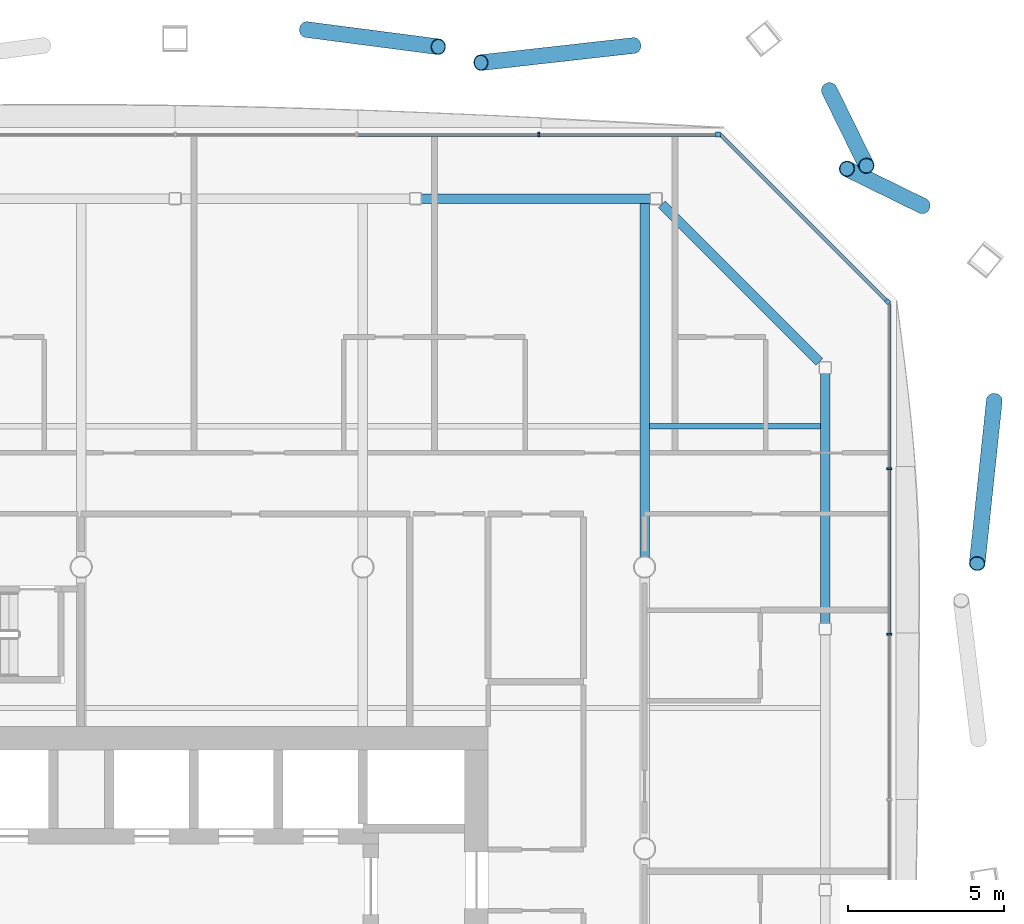
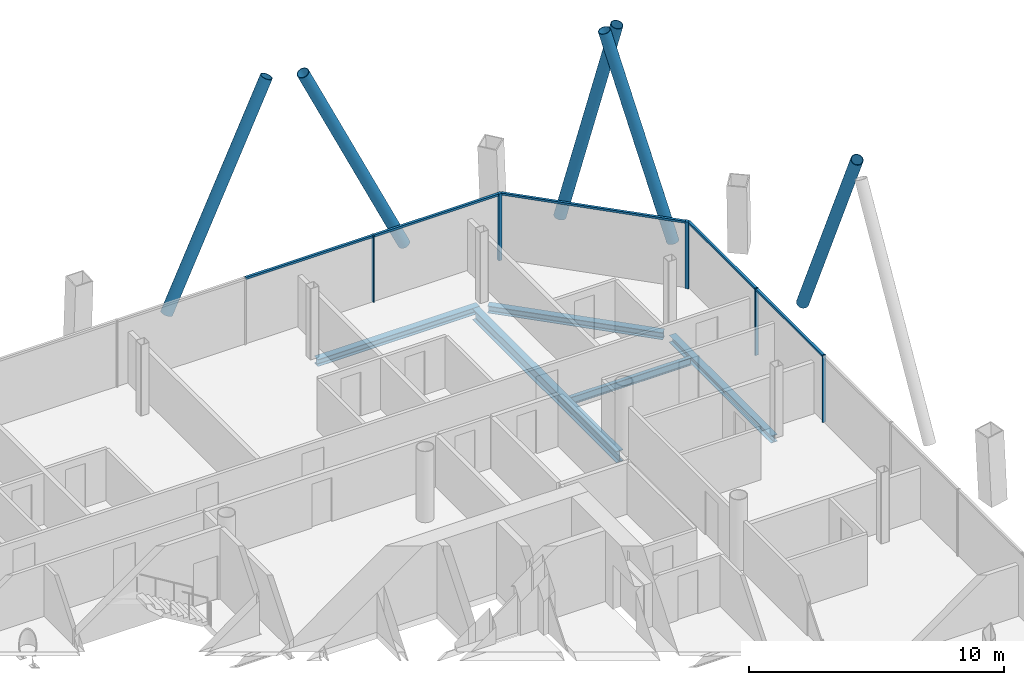
# One storey, part 12 of 23: 15 members, 5 beams, 3 elements without a shape of their own.
"""IFC4 building model written with IfcOpenShell, lengths in metres."""

from ifc_helpers import new_model, si_unit, direction, frame, origin, origin_2d, place, context, subcontext, project, spatial, rectangle, hollow_circle, i_section, extrude, material, material_profile, profile_set, type_object, element, aggregate, save


model = new_model("IFC4")

# Units and contexts
model_context = context("Model", 3, precision=1e-05, world=origin(), true_north=direction((0.0, 1.0)))
body_context = subcontext(model_context, "Body", "Model", "MODEL_VIEW")
ifc_project = project(units=[si_unit("LENGTHUNIT", "METRE"), si_unit("AREAUNIT", "SQUARE_METRE"), si_unit("VOLUMEUNIT", "CUBIC_METRE"), si_unit("PLANEANGLEUNIT", "RADIAN"), si_unit("MASSUNIT", "GRAM", prefix="KILO")], contexts=[model_context])

# Site, building, storey
site_placement = place(None, origin())
site = spatial("IfcSite", under=ifc_project, at=site_placement, CompositionType="ELEMENT")
building_placement = place(site_placement, origin())
building = spatial("IfcBuilding", under=site, at=building_placement, Name="Tskaro Facet Tower", CompositionType="ELEMENT")
storey_placement = place(building_placement, frame((0.0, 0.0, 131.699951171875)))
storey = spatial("IfcBuildingStorey", under=building, at=storey_placement, Name="L31", CompositionType="ELEMENT", Elevation=131.699951171875)

# Members
ifc_material_1 = material(Name="Steel S355J2H", Category="steel")
ifc_material_profile_1 = material_profile(ifc_material_1, hollow_circle(Radius=0.25390625, WallThickness=0.02490234375, at=origin_2d()), Name="CHS 508x25")
ifc_profile_set_1 = profile_set([ifc_material_profile_1], Name="Steel S355J2H")
member_type_1 = type_object("IfcMemberType", Name="CHS 508x25 brace", PredefinedType="BRACE", material=ifc_profile_set_1)
member_1_placement = place(storey_placement, frame((29.17333984375, 14.324462890625, 0.0), z_axis=(-0.047771572711, -0.454596329618, 0.889415568752), x_axis=(0.994523811682, -0.104510229157, 0.0)))
element("IfcMember", 1, at=member_1_placement, inside=storey, type_object=member_type_1, Name="CHS 508x25 XB05B/3", PredefinedType="BRACE", context=body_context, shape_type="SweptSolid", body=[
    extrude(hollow_circle(Radius=0.25390625, WallThickness=0.02490234375, at=origin_2d()), origin(), (0.0, 0.0, 1.0), 11.46826171875),
])
for number, where, z_axis, x_axis, name in (
    (2, (26.87548828125, 20.54296875, 0.0), (-0.228679722288, 0.112279891986, 0.967005072619), (-0.440733089451, -0.897638203211, 0.0), "CHS 508x25 XB06A/3"),
    (3, (23.902099609375, 24.234619140625, 0.0), (0.112302745825, -0.228679127936, 0.967002559317), (0.897602258082, 0.440806291115, 0.0), "CHS 508x25 XB06B/3"),
):
    element("IfcMember", number, at=place(storey_placement, frame(where, z_axis=z_axis, x_axis=x_axis)), inside=storey, type_object=member_type_1, Name=name, PredefinedType="BRACE", context=body_context, shape_type="SweptSolid", body=[
        extrude(hollow_circle(Radius=0.25390625, WallThickness=0.02490234375, at=origin_2d()), origin(), (0.0, 0.0, 1.0), 10.548095703125),
    ])
member_2_placement = place(storey_placement, frame((17.653564453125, 25.665283203125, 0.0), z_axis=(-0.431401762637, -0.048386342548, 0.900861410567), x_axis=(0.111461838164, -0.993768714859, 0.0)))
element("IfcMember", 4, at=member_2_placement, inside=storey, type_object=member_type_1, Name="CHS 508x25 XB07A/3", PredefinedType="BRACE", context=body_context, shape_type="SweptSolid", body=[
    extrude(hollow_circle(Radius=0.25390625, WallThickness=0.02490234375, at=origin_2d()), origin(), (0.0, 0.0, 1.0), 11.322509765625),
])
member_3_placement = place(storey_placement, frame((7.204833984375, 26.17333984375, 0.0), z_axis=(0.380638034697, -0.049596548012, 0.92339312807), x_axis=(0.12920625994, 0.991617740055, 0.0)))
element("IfcMember", 5, at=member_3_placement, inside=storey, type_object=member_type_1, Name="CHS 508x25 XB07B/3", PredefinedType="BRACE", context=body_context, shape_type="SweptSolid", body=[
    extrude(hollow_circle(Radius=0.25390625, WallThickness=0.02490234375, at=origin_2d()), origin(), (0.0, 0.0, 1.0), 11.046142578125),
])

# Curtain wall, member
ifc_material_2 = material(Name="Bronze anodised aluminium 6063-T6", Category="aluminium")
curtain_wall_type = type_object("IfcCurtainWallType", Name="Bronze hotel curtain wall (FW2)", PredefinedType="NOTDEFINED", material=ifc_material_2)
curtain_wall_1_placement = place(storey_placement, origin())
curtain_wall_1 = element("IfcCurtainWall", 6, at=curtain_wall_1_placement, inside=storey, type_object=curtain_wall_type, Name="FW2 north-east facet L31", PredefinedType="NOTDEFINED")
ifc_material_profile_2 = material_profile(ifc_material_2, rectangle(XDim=0.14990234375, YDim=0.14990234375, at=origin_2d()), Name="Corner post 150x150")
ifc_profile_set_2 = profile_set([ifc_material_profile_2], Name="Bronze anodised aluminium 6063-T6")
member_type_2 = type_object("IfcMemberType", Name="FW2 bronze corner post 150x150", PredefinedType="MULLION", material=ifc_profile_set_2)
member_4_placement = place(storey_placement, frame((25.766845703125, 17.47509765625, 0.0), z_axis=(0.0, 0.0, 1.0), x_axis=(-0.707106781187, 0.707106781187, 0.0)))
member_4 = element("IfcMember", 7, at=member_4_placement, type_object=member_type_2, Name="FW2 north-east corner post", PredefinedType="MULLION", context=body_context, shape_type="SweptSolid", body=[
    extrude(rectangle(XDim=0.14990234375, YDim=0.14990234375, at=origin_2d()), origin(), (0.0, 0.0, 1.0), 3.199951171875),
])

curtain_wall_2_placement = place(storey_placement, origin())
curtain_wall_2 = element("IfcCurtainWall", 8, at=curtain_wall_2_placement, inside=storey, type_object=curtain_wall_type, Name="FW2 north facet L31", PredefinedType="NOTDEFINED")
member_5_placement = place(storey_placement, frame((20.346923828125, 22.820068359375, 0.0), z_axis=(0.0, 0.0, 1.0), x_axis=(-1.0, 0.0, 0.0)))
member_5 = element("IfcMember", 9, at=member_5_placement, type_object=member_type_2, Name="FW2 north corner post", PredefinedType="MULLION", context=body_context, shape_type="SweptSolid", body=[
    extrude(rectangle(XDim=0.14990234375, YDim=0.14990234375, at=origin_2d()), origin(), (0.0, 0.0, 1.0), 3.199951171875),
])

# Curtain wall, members
curtain_wall_3_placement = place(storey_placement, origin())
curtain_wall_3 = element("IfcCurtainWall", 10, at=curtain_wall_3_placement, inside=storey, type_object=curtain_wall_type, Name="FW2 east facet L31", PredefinedType="NOTDEFINED")
ifc_material_profile_3 = material_profile(ifc_material_2, rectangle(XDim=0.06005859375, YDim=0.14990234375, at=origin_2d()), Name="Mullion 60x150")
ifc_profile_set_3 = profile_set([ifc_material_profile_3], Name="Bronze anodised aluminium 6063-T6")
member_type_3 = type_object("IfcMemberType", Name="FW2 bronze mullion 60x150", PredefinedType="MULLION", material=ifc_profile_set_3)
member_6_placement = place(storey_placement, frame((25.820068359375, 6.851806640625, 0.0), z_axis=(0.0, 0.0, 1.0), x_axis=(0.0, 1.0, 0.0)))
member_6 = element("IfcMember", 11, at=member_6_placement, type_object=member_type_3, Name="FW2 east mullion 5", PredefinedType="MULLION", context=body_context, shape_type="SweptSolid", body=[
    extrude(rectangle(XDim=0.06005859375, YDim=0.14990234375, at=origin_2d()), origin(), (0.0, 0.0, 1.0), 3.199951171875),
])
member_7_placement = place(storey_placement, frame((25.820068359375, 12.136962890625, 0.0), z_axis=(0.0, 0.0, 1.0), x_axis=(0.0, 1.0, 0.0)))
member_7 = element("IfcMember", 12, at=member_7_placement, type_object=member_type_3, Name="FW2 east mullion 6", PredefinedType="MULLION", context=body_context, shape_type="SweptSolid", body=[
    extrude(rectangle(XDim=0.06005859375, YDim=0.14990234375, at=origin_2d()), origin(), (0.0, 0.0, 1.0), 3.199951171875),
])

# Member
member_8_placement = place(storey_placement, frame((14.61474609375, 22.820068359375, 0.0), z_axis=(0.0, 0.0, 1.0), x_axis=(-1.0, 0.0, 0.0)))
member_8 = element("IfcMember", 13, at=member_8_placement, type_object=member_type_3, Name="FW2 north mullion 1", PredefinedType="MULLION", context=body_context, shape_type="SweptSolid", body=[
    extrude(rectangle(XDim=0.06005859375, YDim=0.14990234375, at=origin_2d()), origin(), (0.0, 0.0, 1.0), 3.199951171875),
])

ifc_material_profile_4 = material_profile(ifc_material_2, rectangle(XDim=0.110107421875, YDim=0.10009765625, at=origin_2d()), Name="Transom 110x100")
ifc_profile_set_4 = profile_set([ifc_material_profile_4], Name="Bronze anodised aluminium 6063-T6")
member_type_4 = type_object("IfcMemberType", Name="FW2 bronze transom 110x100", PredefinedType="USERDEFINED", material=ifc_profile_set_4)
member_9_placement = place(storey_placement, frame((25.820068359375, 6.8818359375, 3.150146484375), z_axis=(0.0, 1.0, 0.0), x_axis=(-1.0, 0.0, 0.0)))
member_9 = element("IfcMember", 14, at=member_9_placement, type_object=member_type_4, Name="FW2 east transom 6.1", ObjectType="TRANSOM", PredefinedType="USERDEFINED", context=body_context, shape_type="SweptSolid", body=[
    extrude(rectangle(XDim=0.110107421875, YDim=0.10009765625, at=origin_2d()), origin(), (0.0, 0.0, 1.0), 5.22509765625),
])

member_10_placement = place(storey_placement, frame((25.820068359375, 12.166748046875, 3.150146484375), z_axis=(0.0, 1.0, 0.0), x_axis=(-1.0, 0.0, 0.0)))
member_10 = element("IfcMember", 15, at=member_10_placement, type_object=member_type_4, Name="FW2 east transom 7.1", ObjectType="TRANSOM", PredefinedType="USERDEFINED", context=body_context, shape_type="SweptSolid", body=[
    extrude(rectangle(XDim=0.110107421875, YDim=0.10009765625, at=origin_2d()), origin(), (0.0, 0.0, 1.0), 5.25537109375),
])

aggregate(curtain_wall_3, [member_6, member_7, member_9, member_10])

member_11_placement = place(storey_placement, frame((25.7138671875, 17.528076171875, 3.150146484375), z_axis=(-0.7070904698, 0.707123092197, 0.0), x_axis=(-0.707123092197, -0.7070904698, 0.0)))
member_11 = element("IfcMember", 16, at=member_11_placement, type_object=member_type_4, Name="FW2 north-east transom 1.1", ObjectType="TRANSOM", PredefinedType="USERDEFINED", context=body_context, shape_type="SweptSolid", body=[
    extrude(rectangle(XDim=0.110107421875, YDim=0.10009765625, at=origin_2d()), origin(), (0.0, 0.0, 1.0), 7.48388671875),
])

aggregate(curtain_wall_1, [member_4, member_11])

member_12_placement = place(storey_placement, frame((20.27197265625, 22.820068359375, 3.150146484375), z_axis=(-1.0, 0.0, 0.0), x_axis=(0.0, -1.0, 0.0)))
member_12 = element("IfcMember", 17, at=member_12_placement, type_object=member_type_4, Name="FW2 north transom 1.1", ObjectType="TRANSOM", PredefinedType="USERDEFINED", context=body_context, shape_type="SweptSolid", body=[
    extrude(rectangle(XDim=0.110107421875, YDim=0.10009765625, at=origin_2d()), origin(), (0.0, 0.0, 1.0), 5.627197265625),
])

member_13_placement = place(storey_placement, frame((14.584716796875, 22.820068359375, 3.150146484375), z_axis=(-1.0, 0.0, 0.0), x_axis=(0.0, -1.0, 0.0)))
member_13 = element("IfcMember", 18, at=member_13_placement, type_object=member_type_4, Name="FW2 north transom 2.1", ObjectType="TRANSOM", PredefinedType="USERDEFINED", context=body_context, shape_type="SweptSolid", body=[
    extrude(rectangle(XDim=0.110107421875, YDim=0.10009765625, at=origin_2d()), origin(), (0.0, 0.0, 1.0), 5.747314453125),
])

aggregate(curtain_wall_2, [member_5, member_8, member_12, member_13])

# Beams
ifc_material_3 = material(Name="Steel S355J2", Category="steel")
ifc_material_profile_5 = material_profile(ifc_material_3, i_section(OverallWidth=0.300048828125, OverallDepth=0.340087890625, WebThickness=0.011962890625, FlangeThickness=0.021484375, FilletRadius=0.027099609375, at=origin_2d()), Name="HE 340 B")
ifc_profile_set_5 = profile_set([ifc_material_profile_5], Name="Steel S355J2")
beam_type_1 = type_object("IfcBeamType", Name="HE 340 B ring beam", PredefinedType="BEAM", material=ifc_profile_set_5)
beam_1_placement = place(storey_placement, frame((23.77392578125, 7.2060546875, -0.31005859375), z_axis=(0.0, 1.0, 0.0), x_axis=(-1.0, 0.0, 0.0)))
element("IfcBeam", 19, at=beam_1_placement, inside=storey, type_object=beam_type_1, Name="HE 340 B EB9-3", PredefinedType="BEAM", context=body_context, shape_type="SweptSolid", body=[
    extrude(i_section(OverallWidth=0.300048828125, OverallDepth=0.340087890625, WebThickness=0.011962890625, FlangeThickness=0.021484375, FilletRadius=0.027099609375, at=origin_2d()), origin(), (0.0, 0.0, 1.0), 7.98193359375),
])
beam_2_placement = place(storey_placement, frame((23.588134765625, 15.553955078125, -0.31005859375), z_axis=(-0.707106781187, 0.707106781187, 0.0), x_axis=(-0.707106781187, -0.707106781187, 0.0)))
element("IfcBeam", 20, at=beam_2_placement, inside=storey, type_object=beam_type_1, Name="HE 340 B EB10-3", PredefinedType="BEAM", context=body_context, shape_type="SweptSolid", body=[
    extrude(i_section(OverallWidth=0.300048828125, OverallDepth=0.340087890625, WebThickness=0.011962890625, FlangeThickness=0.021484375, FilletRadius=0.027099609375, at=origin_2d()), origin(), (0.0, 0.0, 1.0), 7.119384765625),
])
beam_3_placement = place(storey_placement, frame((18.18798828125, 20.77392578125, -0.31005859375), z_axis=(-1.0, 0.0, 0.0), x_axis=(0.0, -1.0, 0.0)))
element("IfcBeam", 21, at=beam_3_placement, inside=storey, type_object=beam_type_1, Name="HE 340 B EB11-3", PredefinedType="BEAM", context=body_context, shape_type="SweptSolid", body=[
    extrude(i_section(OverallWidth=0.300048828125, OverallDepth=0.340087890625, WebThickness=0.011962890625, FlangeThickness=0.021484375, FilletRadius=0.027099609375, at=origin_2d()), origin(), (0.0, 0.0, 1.0), 7.323974609375),
])
ifc_material_profile_6 = material_profile(ifc_material_3, i_section(OverallWidth=0.300048828125, OverallDepth=0.5400390625, WebThickness=0.012451171875, FlangeThickness=0.02392578125, FilletRadius=0.027099609375, at=origin_2d()), Name="HE 550 A")
ifc_profile_set_6 = profile_set([ifc_material_profile_6], Name="Steel S355J2")
beam_type_2 = type_object("IfcBeamType", Name="HE 550 A long girder", PredefinedType="BEAM", material=ifc_profile_set_6)
beam_4_placement = place(storey_placement, frame((18.0, 9.325439453125, -0.409912109375), z_axis=(0.0, 1.0, 0.0), x_axis=(-1.0, 0.0, 0.0)))
element("IfcBeam", 22, at=beam_4_placement, inside=storey, type_object=beam_type_2, Name="HE 550 A LGB6-4-3", PredefinedType="BEAM", context=body_context, shape_type="SweptSolid", body=[
    extrude(i_section(OverallWidth=0.300048828125, OverallDepth=0.5400390625, WebThickness=0.012451171875, FlangeThickness=0.02392578125, FilletRadius=0.027099609375, at=origin_2d()), origin(), (0.0, 0.0, 1.0), 11.298583984375),
])
ifc_material_profile_7 = material_profile(ifc_material_3, i_section(OverallWidth=0.169921875, OverallDepth=0.360107421875, WebThickness=0.008056640625, FlangeThickness=0.0126953125, FilletRadius=0.01806640625, at=origin_2d()), Name="IPE 360")
ifc_profile_set_7 = profile_set([ifc_material_profile_7], Name="Steel S355J2")
beam_type_3 = type_object("IfcBeamType", Name="IPE 360 secondary beam", PredefinedType="BEAM", material=ifc_profile_set_7)
beam_5_placement = place(storey_placement, frame((18.14990234375, 13.5, -0.320068359375), z_axis=(1.0, 0.0, 0.0), x_axis=(0.0, 1.0, 0.0)))
element("IfcBeam", 23, at=beam_5_placement, inside=storey, type_object=beam_type_3, Name="IPE 360 SB5a-5-3", PredefinedType="BEAM", context=body_context, shape_type="SweptSolid", body=[
    extrude(i_section(OverallWidth=0.169921875, OverallDepth=0.360107421875, WebThickness=0.008056640625, FlangeThickness=0.0126953125, FilletRadius=0.01806640625, at=origin_2d()), origin(), (0.0, 0.0, 1.0), 5.47412109375),
])

save(model, "model.ifc")
